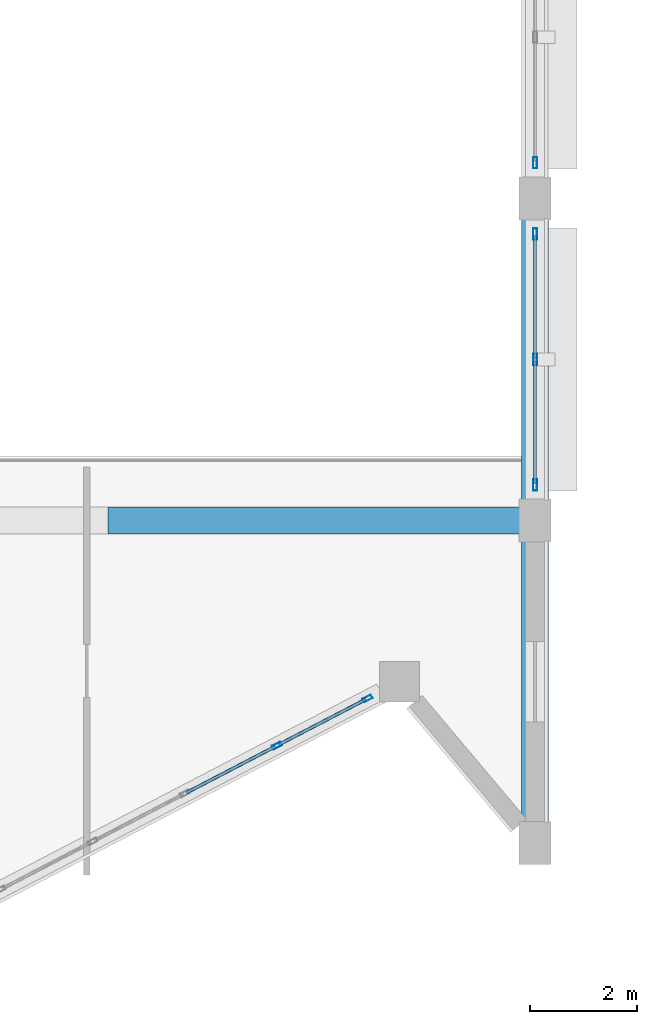
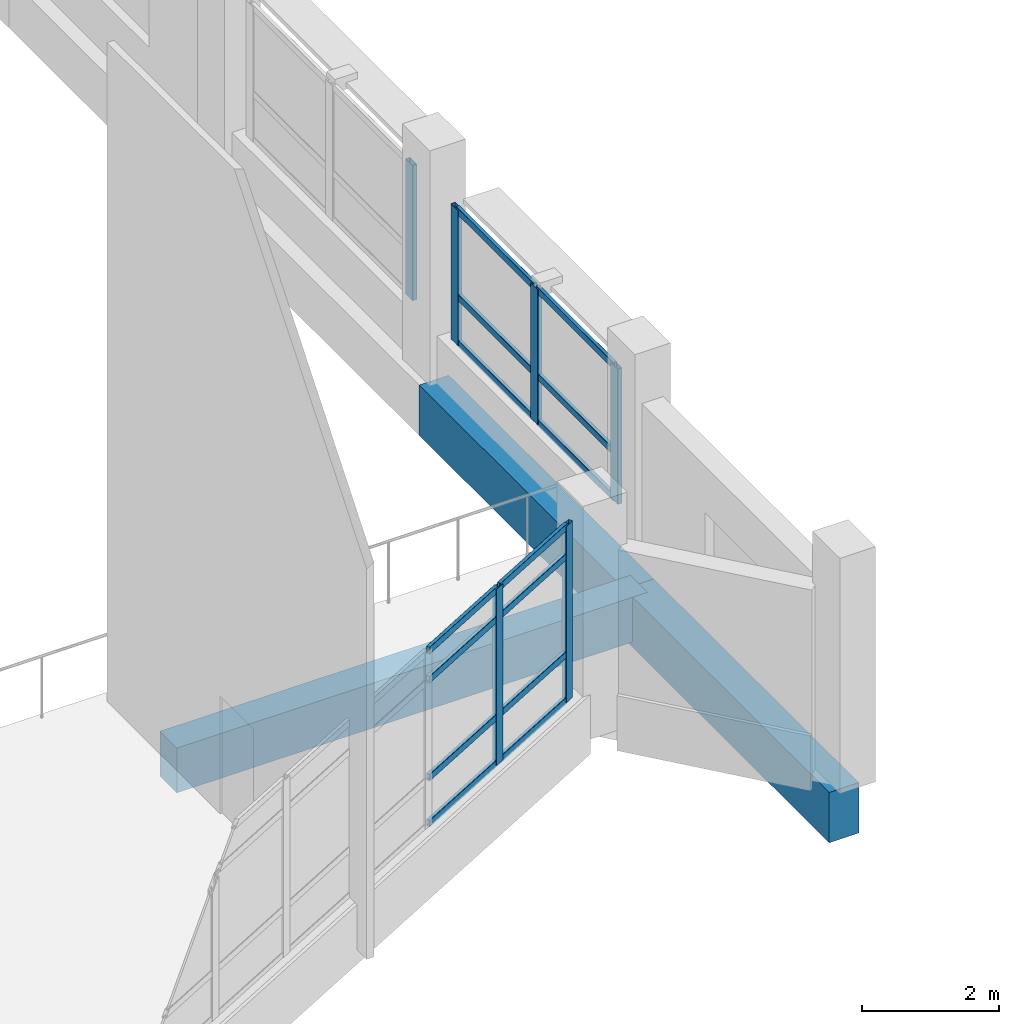
# One storey, part 16 of 128: 20 members, 3 beams, 3 elements without a shape of their own.
"""IFC4 building model written with IfcOpenShell, lengths in metres."""

from ifc_helpers import new_model, si_unit, direction, frame, origin, origin_2d, place, context, subcontext, project, spatial, rectangle, hollow_rectangle, extrude, material, layer, layer_set, material_profile, profile_set, type_object, element, aggregate, save


model = new_model("IFC4")

# Units and contexts
model_context = context("Model", 3, precision=1e-05, world=origin(), true_north=direction((0.0, 1.0)))
body_context = subcontext(model_context, "Body", "Model", "MODEL_VIEW")
ifc_project = project(units=[si_unit("LENGTHUNIT", "METRE"), si_unit("AREAUNIT", "SQUARE_METRE"), si_unit("VOLUMEUNIT", "CUBIC_METRE"), si_unit("PLANEANGLEUNIT", "RADIAN"), si_unit("MASSUNIT", "GRAM", prefix="KILO")], contexts=[model_context])

# Site, building, storey
site_placement = place(None, origin())
site = spatial("IfcSite", under=ifc_project, at=site_placement, CompositionType="ELEMENT")
building_placement = place(site_placement, origin())
building = spatial("IfcBuilding", under=site, at=building_placement, Name="Vespera Passage Community Centre", CompositionType="ELEMENT")
storey_placement = place(building_placement, frame((0.0, 0.0, 4.5)))
storey = spatial("IfcBuildingStorey", under=building, at=storey_placement, Name="L01", CompositionType="ELEMENT", Elevation=4.5)

# Beams
ifc_material_1 = material(Name="Concrete f'c 35 MPa", Category="concrete")
ifc_material_profile_1 = material_profile(ifc_material_1, rectangle(XDim=0.5, YDim=0.800048828125, at=origin_2d()), Name="RC500X800")
ifc_profile_set_1 = profile_set([ifc_material_profile_1], Name="Concrete f'c 35 MPa")
beam_type_1 = type_object("IfcBeamType", Name="BM-G-500X800", PredefinedType="BEAM", material=ifc_profile_set_1)
beam_placement = place(storey_placement, frame((24.0, 13.0, -0.639892578125), z_axis=(1.0, 0.0, 0.0), x_axis=(0.0, 1.0, 0.0)))
element("IfcBeam", 1, at=beam_placement, inside=storey, type_object=beam_type_1, Name="V1 L01 S Gallery Girder 3", PredefinedType="BEAM", context=body_context, shape_type="SweptSolid", body=[
    extrude(rectangle(XDim=0.5, YDim=0.800048828125, at=origin_2d()), origin(), (0.0, 0.0, 1.0), 7.949951171875),
])
ifc_material_2 = material(Name="Concrete f'c 45 MPa", Category="concrete")
ifc_material_profile_2 = material_profile(ifc_material_2, rectangle(XDim=0.5, YDim=0.89990234375, at=origin_2d()), Name="RC500X900")
ifc_profile_set_2 = profile_set([ifc_material_profile_2], Name="Concrete f'c 45 MPa")
beam_type_2 = type_object("IfcBeamType", Name="BM-SP-500X900E", PredefinedType="SPANDREL", material=ifc_profile_set_2)
for number, where, z_axis, x_axis, name in (
    (2, (31.949951171875, 7.0, -0.68994140625), (0.0, 1.0, 0.0), (-1.0, 0.0, 0.0), "V1 L01 Spandrel E1"),
    (3, (31.949951171875, 13.0, -0.68994140625), (0.0, 1.0, 0.0), (-1.0, 0.0, 0.0), "V1 L01 Spandrel E2"),
):
    element("IfcBeam", number, at=place(storey_placement, frame(where, z_axis=z_axis, x_axis=x_axis)), inside=storey, type_object=beam_type_2, Name=name, PredefinedType="SPANDREL", context=body_context, shape_type="SweptSolid", body=[
        extrude(rectangle(XDim=0.5, YDim=0.89990234375, at=origin_2d()), origin(), (0.0, 0.0, 1.0), 6.0),
    ])

# Curtain wall, members
ifc_material_3 = material(Name="Anodized aluminium 6063-T6", Category="aluminium")
ifc_layer_1 = layer(ifc_material_3, 0.159912109375)
ifc_layer_set_1 = layer_set([ifc_layer_1], Name="Anodized aluminium 6063-T6")
curtain_wall_type_1 = type_object("IfcCurtainWallType", Name="CW-85E", PredefinedType="NOTDEFINED", material=ifc_layer_set_1)
curtain_wall_1_placement = place(storey_placement, origin())
curtain_wall_1 = element("IfcCurtainWall", 4, at=curtain_wall_1_placement, inside=storey, type_object=curtain_wall_type_1, Name="V1 L01 S Apse Ribbon Curtain Wall 2", PredefinedType="NOTDEFINED")
ifc_material_4 = material(Name="Anodized aluminium 6063-T6", Category="aluminium")
ifc_material_profile_3 = material_profile(ifc_material_4, hollow_rectangle(XDim=0.074951171875, YDim=0.179931640625, WallThickness=0.0048828125, InnerFilletRadius=0.00244140625, OuterFilletRadius=0.0048828125, at=origin_2d()), Name="ALU180X75X5")
ifc_profile_set_3 = profile_set([ifc_material_profile_3], Name="Anodized aluminium 6063-T6")
member_type_1 = type_object("IfcMemberType", Name="MB-CWM-180E", PredefinedType="MULLION", material=ifc_profile_set_3)
member_1_placement = place(storey_placement, frame((28.828125, 9.686767578125, 0.800048828125), z_axis=(0.0, 0.0, 1.0), x_axis=(0.46174493668, -0.887012747062, 0.0)))
member_1 = element("IfcMember", 5, at=member_1_placement, type_object=member_type_1, Name="CW-85E mullion 1", PredefinedType="MULLION", context=body_context, shape_type="SweptSolid", body=[
    extrude(hollow_rectangle(XDim=0.074951171875, YDim=0.179931640625, WallThickness=0.0048828125, InnerFilletRadius=0.00244140625, OuterFilletRadius=0.0048828125, at=origin_2d()), origin(), (0.0, 0.0, 1.0), 3.14990234375),
])
member_2_placement = place(storey_placement, frame((27.1455078125, 8.810791015625, 0.800048828125), z_axis=(0.0, 0.0, 1.0), x_axis=(0.46174493668, -0.887012747062, 0.0)))
member_2 = element("IfcMember", 6, at=member_2_placement, type_object=member_type_1, Name="CW-85E mullion 2", PredefinedType="MULLION", context=body_context, shape_type="SweptSolid", body=[
    extrude(hollow_rectangle(XDim=0.074951171875, YDim=0.179931640625, WallThickness=0.0048828125, InnerFilletRadius=0.00244140625, OuterFilletRadius=0.0048828125, at=origin_2d()), origin(), (0.0, 0.0, 1.0), 3.14990234375),
])

ifc_material_5 = material(Name="Anodized aluminium 6063-T6", Category="aluminium")
ifc_layer_2 = layer(ifc_material_5, 0.159912109375)
ifc_layer_set_2 = layer_set([ifc_layer_2], Name="Anodized aluminium 6063-T6")
curtain_wall_type_2 = type_object("IfcCurtainWallType", Name="CW-84E", PredefinedType="NOTDEFINED", material=ifc_layer_set_2)
curtain_wall_2_placement = place(storey_placement, origin())
curtain_wall_2 = element("IfcCurtainWall", 7, at=curtain_wall_2_placement, inside=storey, type_object=curtain_wall_type_2, Name="Main Hall Acoustic Curtain Wall L01 E2", PredefinedType="NOTDEFINED")
ifc_material_6 = material(Name="Anodized aluminium 6063-T6", Category="aluminium")
ifc_material_profile_4 = material_profile(ifc_material_6, hollow_rectangle(XDim=0.074951171875, YDim=0.2099609375, WallThickness=0.0048828125, InnerFilletRadius=0.00244140625, OuterFilletRadius=0.0048828125, at=origin_2d()), Name="ALU210X75X5")
ifc_profile_set_4 = profile_set([ifc_material_profile_4], Name="Anodized aluminium 6063-T6")
member_type_2 = type_object("IfcMemberType", Name="MB-CWM-210E", PredefinedType="MULLION", material=ifc_profile_set_4)
member_3_placement = place(storey_placement, frame((31.949951171875, 18.33740234375, 0.85009765625), z_axis=(0.0, 0.0, 1.0), x_axis=(1.0, 0.0, 0.0)))
member_3 = element("IfcMember", 8, at=member_3_placement, type_object=member_type_2, Name="CW-84E mullion 1", PredefinedType="MULLION", context=body_context, shape_type="SweptSolid", body=[
    extrude(hollow_rectangle(XDim=0.074951171875, YDim=0.2099609375, WallThickness=0.0048828125, InnerFilletRadius=0.00244140625, OuterFilletRadius=0.0048828125, at=origin_2d()), origin(), (0.0, 0.0, 1.0), 2.414794921875),
])
member_4_placement = place(storey_placement, frame((31.949951171875, 16.0, 0.85009765625), z_axis=(0.0, 0.0, 1.0), x_axis=(1.0, 0.0, 0.0)))
member_4 = element("IfcMember", 9, at=member_4_placement, type_object=member_type_2, Name="CW-84E mullion 2", PredefinedType="MULLION", context=body_context, shape_type="SweptSolid", body=[
    extrude(hollow_rectangle(XDim=0.074951171875, YDim=0.2099609375, WallThickness=0.0048828125, InnerFilletRadius=0.00244140625, OuterFilletRadius=0.0048828125, at=origin_2d()), origin(), (0.0, 0.0, 1.0), 2.414794921875),
])
member_5_placement = place(storey_placement, frame((31.949951171875, 13.66259765625, 0.85009765625), z_axis=(0.0, 0.0, 1.0), x_axis=(1.0, 0.0, 0.0)))
member_5 = element("IfcMember", 10, at=member_5_placement, type_object=member_type_2, Name="CW-84E mullion 3", PredefinedType="MULLION", context=body_context, shape_type="SweptSolid", body=[
    extrude(hollow_rectangle(XDim=0.074951171875, YDim=0.2099609375, WallThickness=0.0048828125, InnerFilletRadius=0.00244140625, OuterFilletRadius=0.0048828125, at=origin_2d()), origin(), (0.0, 0.0, 1.0), 2.414794921875),
])

# Curtain wall, member
curtain_wall_3_placement = place(storey_placement, origin())
curtain_wall_3 = element("IfcCurtainWall", 11, at=curtain_wall_3_placement, inside=storey, type_object=curtain_wall_type_2, Name="Main Hall Acoustic Curtain Wall L01 E3", PredefinedType="NOTDEFINED")
member_6_placement = place(storey_placement, frame((31.949951171875, 19.66259765625, 0.85009765625), z_axis=(0.0, 0.0, 1.0), x_axis=(1.0, 0.0, 0.0)))
member_6 = element("IfcMember", 12, at=member_6_placement, type_object=member_type_2, Name="CW-84E mullion 3", PredefinedType="MULLION", context=body_context, shape_type="SweptSolid", body=[
    extrude(hollow_rectangle(XDim=0.074951171875, YDim=0.2099609375, WallThickness=0.0048828125, InnerFilletRadius=0.00244140625, OuterFilletRadius=0.0048828125, at=origin_2d()), origin(), (0.0, 0.0, 1.0), 2.414794921875),
])
aggregate(curtain_wall_3, [member_6])

# Member
ifc_material_7 = material(Name="Anodized aluminium 6063-T6", Category="aluminium")
ifc_material_profile_5 = material_profile(ifc_material_7, hollow_rectangle(XDim=0.06005859375, YDim=0.1201171875, WallThickness=0.00390625, InnerFilletRadius=0.001953125, OuterFilletRadius=0.00390625, at=origin_2d()), Name="ALU120X60X4")
ifc_profile_set_5 = profile_set([ifc_material_profile_5], Name="Anodized aluminium 6063-T6")
member_type_3 = type_object("IfcMemberType", Name="MB-CWT-120E", PredefinedType="USERDEFINED", material=ifc_profile_set_5)
member_7_placement = place(storey_placement, frame((31.949951171875, 18.300048828125, 0.8798828125), z_axis=(0.0, -1.0, 0.0), x_axis=(1.0, 0.0, 0.0)))
member_7 = element("IfcMember", 13, at=member_7_placement, type_object=member_type_3, Name="CW-84E transom 1.1", ObjectType="TRANSOM", PredefinedType="USERDEFINED", context=body_context, shape_type="SweptSolid", body=[
    extrude(hollow_rectangle(XDim=0.06005859375, YDim=0.1201171875, WallThickness=0.00390625, InnerFilletRadius=0.001953125, OuterFilletRadius=0.00390625, at=origin_2d()), origin(), (0.0, 0.0, 1.0), 2.262451171875),
])

member_8_placement = place(storey_placement, frame((31.949951171875, 18.300048828125, 1.699951171875), z_axis=(0.0, -1.0, 0.0), x_axis=(1.0, 0.0, 0.0)))
member_8 = element("IfcMember", 14, at=member_8_placement, type_object=member_type_3, Name="CW-84E transom 1.2", ObjectType="TRANSOM", PredefinedType="USERDEFINED", context=body_context, shape_type="SweptSolid", body=[
    extrude(hollow_rectangle(XDim=0.06005859375, YDim=0.1201171875, WallThickness=0.00390625, InnerFilletRadius=0.001953125, OuterFilletRadius=0.00390625, at=origin_2d()), origin(), (0.0, 0.0, 1.0), 2.262451171875),
])

member_9_placement = place(storey_placement, frame((31.949951171875, 18.300048828125, 3.235107421875), z_axis=(0.0, -1.0, 0.0), x_axis=(1.0, 0.0, 0.0)))
member_9 = element("IfcMember", 15, at=member_9_placement, type_object=member_type_3, Name="CW-84E transom 1.3", ObjectType="TRANSOM", PredefinedType="USERDEFINED", context=body_context, shape_type="SweptSolid", body=[
    extrude(hollow_rectangle(XDim=0.06005859375, YDim=0.1201171875, WallThickness=0.00390625, InnerFilletRadius=0.001953125, OuterFilletRadius=0.00390625, at=origin_2d()), origin(), (0.0, 0.0, 1.0), 2.262451171875),
])

member_10_placement = place(storey_placement, frame((31.949951171875, 15.96240234375, 0.8798828125), z_axis=(0.0, -1.0, 0.0), x_axis=(1.0, 0.0, 0.0)))
member_10 = element("IfcMember", 16, at=member_10_placement, type_object=member_type_3, Name="CW-84E transom 2.1", ObjectType="TRANSOM", PredefinedType="USERDEFINED", context=body_context, shape_type="SweptSolid", body=[
    extrude(hollow_rectangle(XDim=0.06005859375, YDim=0.1201171875, WallThickness=0.00390625, InnerFilletRadius=0.001953125, OuterFilletRadius=0.00390625, at=origin_2d()), origin(), (0.0, 0.0, 1.0), 2.262451171875),
])

member_11_placement = place(storey_placement, frame((31.949951171875, 15.96240234375, 1.699951171875), z_axis=(0.0, -1.0, 0.0), x_axis=(1.0, 0.0, 0.0)))
member_11 = element("IfcMember", 17, at=member_11_placement, type_object=member_type_3, Name="CW-84E transom 2.2", ObjectType="TRANSOM", PredefinedType="USERDEFINED", context=body_context, shape_type="SweptSolid", body=[
    extrude(hollow_rectangle(XDim=0.06005859375, YDim=0.1201171875, WallThickness=0.00390625, InnerFilletRadius=0.001953125, OuterFilletRadius=0.00390625, at=origin_2d()), origin(), (0.0, 0.0, 1.0), 2.262451171875),
])

member_12_placement = place(storey_placement, frame((31.949951171875, 15.96240234375, 3.235107421875), z_axis=(0.0, -1.0, 0.0), x_axis=(1.0, 0.0, 0.0)))
member_12 = element("IfcMember", 18, at=member_12_placement, type_object=member_type_3, Name="CW-84E transom 2.3", ObjectType="TRANSOM", PredefinedType="USERDEFINED", context=body_context, shape_type="SweptSolid", body=[
    extrude(hollow_rectangle(XDim=0.06005859375, YDim=0.1201171875, WallThickness=0.00390625, InnerFilletRadius=0.001953125, OuterFilletRadius=0.00390625, at=origin_2d()), origin(), (0.0, 0.0, 1.0), 2.262451171875),
])

aggregate(curtain_wall_2, [member_3, member_4, member_5, member_7, member_8, member_9, member_10, member_11, member_12])

member_13_placement = place(storey_placement, frame((28.794921875, 9.66943359375, 0.830078125), z_axis=(-0.887019277583, -0.461732391322, 0.0), x_axis=(0.461732391322, -0.887019277583, 0.0)))
member_13 = element("IfcMember", 19, at=member_13_placement, type_object=member_type_3, Name="CW-85E transom 1.1", ObjectType="TRANSOM", PredefinedType="USERDEFINED", context=body_context, shape_type="SweptSolid", body=[
    extrude(hollow_rectangle(XDim=0.06005859375, YDim=0.1201171875, WallThickness=0.00390625, InnerFilletRadius=0.001953125, OuterFilletRadius=0.00390625, at=origin_2d()), origin(), (0.0, 0.0, 1.0), 1.822021484375),
])

member_14_placement = place(storey_placement, frame((28.794921875, 9.66943359375, 1.64990234375), z_axis=(-0.887019277583, -0.461732391322, 0.0), x_axis=(0.461732391322, -0.887019277583, 0.0)))
member_14 = element("IfcMember", 20, at=member_14_placement, type_object=member_type_3, Name="CW-85E transom 1.2", ObjectType="TRANSOM", PredefinedType="USERDEFINED", context=body_context, shape_type="SweptSolid", body=[
    extrude(hollow_rectangle(XDim=0.06005859375, YDim=0.1201171875, WallThickness=0.00390625, InnerFilletRadius=0.001953125, OuterFilletRadius=0.00390625, at=origin_2d()), origin(), (0.0, 0.0, 1.0), 1.822021484375),
])

member_15_placement = place(storey_placement, frame((28.794921875, 9.66943359375, 3.39990234375), z_axis=(-0.887019277583, -0.461732391322, 0.0), x_axis=(0.461732391322, -0.887019277583, 0.0)))
member_15 = element("IfcMember", 21, at=member_15_placement, type_object=member_type_3, Name="CW-85E transom 1.3", ObjectType="TRANSOM", PredefinedType="USERDEFINED", context=body_context, shape_type="SweptSolid", body=[
    extrude(hollow_rectangle(XDim=0.06005859375, YDim=0.1201171875, WallThickness=0.00390625, InnerFilletRadius=0.001953125, OuterFilletRadius=0.00390625, at=origin_2d()), origin(), (0.0, 0.0, 1.0), 1.822021484375),
])

member_16_placement = place(storey_placement, frame((28.794921875, 9.66943359375, 3.919921875), z_axis=(-0.887019277583, -0.461732391322, 0.0), x_axis=(0.461732391322, -0.887019277583, 0.0)))
member_16 = element("IfcMember", 22, at=member_16_placement, type_object=member_type_3, Name="CW-85E transom 1.4", ObjectType="TRANSOM", PredefinedType="USERDEFINED", context=body_context, shape_type="SweptSolid", body=[
    extrude(hollow_rectangle(XDim=0.06005859375, YDim=0.1201171875, WallThickness=0.00390625, InnerFilletRadius=0.001953125, OuterFilletRadius=0.00390625, at=origin_2d()), origin(), (0.0, 0.0, 1.0), 1.822021484375),
])

member_17_placement = place(storey_placement, frame((27.1123046875, 8.79345703125, 0.830078125), z_axis=(-0.887008197889, -0.461753675544, 0.0), x_axis=(0.461753675544, -0.887008197889, 0.0)))
member_17 = element("IfcMember", 23, at=member_17_placement, type_object=member_type_3, Name="CW-85E transom 2.1", ObjectType="TRANSOM", PredefinedType="USERDEFINED", context=body_context, shape_type="SweptSolid", body=[
    extrude(hollow_rectangle(XDim=0.06005859375, YDim=0.1201171875, WallThickness=0.00390625, InnerFilletRadius=0.001953125, OuterFilletRadius=0.00390625, at=origin_2d()), origin(), (0.0, 0.0, 1.0), 1.859619140625),
])

member_18_placement = place(storey_placement, frame((27.1123046875, 8.79345703125, 1.64990234375), z_axis=(-0.887008197889, -0.461753675544, 0.0), x_axis=(0.461753675544, -0.887008197889, 0.0)))
member_18 = element("IfcMember", 24, at=member_18_placement, type_object=member_type_3, Name="CW-85E transom 2.2", ObjectType="TRANSOM", PredefinedType="USERDEFINED", context=body_context, shape_type="SweptSolid", body=[
    extrude(hollow_rectangle(XDim=0.06005859375, YDim=0.1201171875, WallThickness=0.00390625, InnerFilletRadius=0.001953125, OuterFilletRadius=0.00390625, at=origin_2d()), origin(), (0.0, 0.0, 1.0), 1.859619140625),
])

member_19_placement = place(storey_placement, frame((27.1123046875, 8.79345703125, 3.39990234375), z_axis=(-0.887008197889, -0.461753675544, 0.0), x_axis=(0.461753675544, -0.887008197889, 0.0)))
member_19 = element("IfcMember", 25, at=member_19_placement, type_object=member_type_3, Name="CW-85E transom 2.3", ObjectType="TRANSOM", PredefinedType="USERDEFINED", context=body_context, shape_type="SweptSolid", body=[
    extrude(hollow_rectangle(XDim=0.06005859375, YDim=0.1201171875, WallThickness=0.00390625, InnerFilletRadius=0.001953125, OuterFilletRadius=0.00390625, at=origin_2d()), origin(), (0.0, 0.0, 1.0), 1.859619140625),
])

member_20_placement = place(storey_placement, frame((27.1123046875, 8.79345703125, 3.919921875), z_axis=(-0.887008197889, -0.461753675544, 0.0), x_axis=(0.461753675544, -0.887008197889, 0.0)))
member_20 = element("IfcMember", 26, at=member_20_placement, type_object=member_type_3, Name="CW-85E transom 2.4", ObjectType="TRANSOM", PredefinedType="USERDEFINED", context=body_context, shape_type="SweptSolid", body=[
    extrude(hollow_rectangle(XDim=0.06005859375, YDim=0.1201171875, WallThickness=0.00390625, InnerFilletRadius=0.001953125, OuterFilletRadius=0.00390625, at=origin_2d()), origin(), (0.0, 0.0, 1.0), 1.859619140625),
])

aggregate(curtain_wall_1, [member_1, member_2, member_13, member_14, member_15, member_16, member_17, member_18, member_19, member_20])

save(model, "model.ifc")
